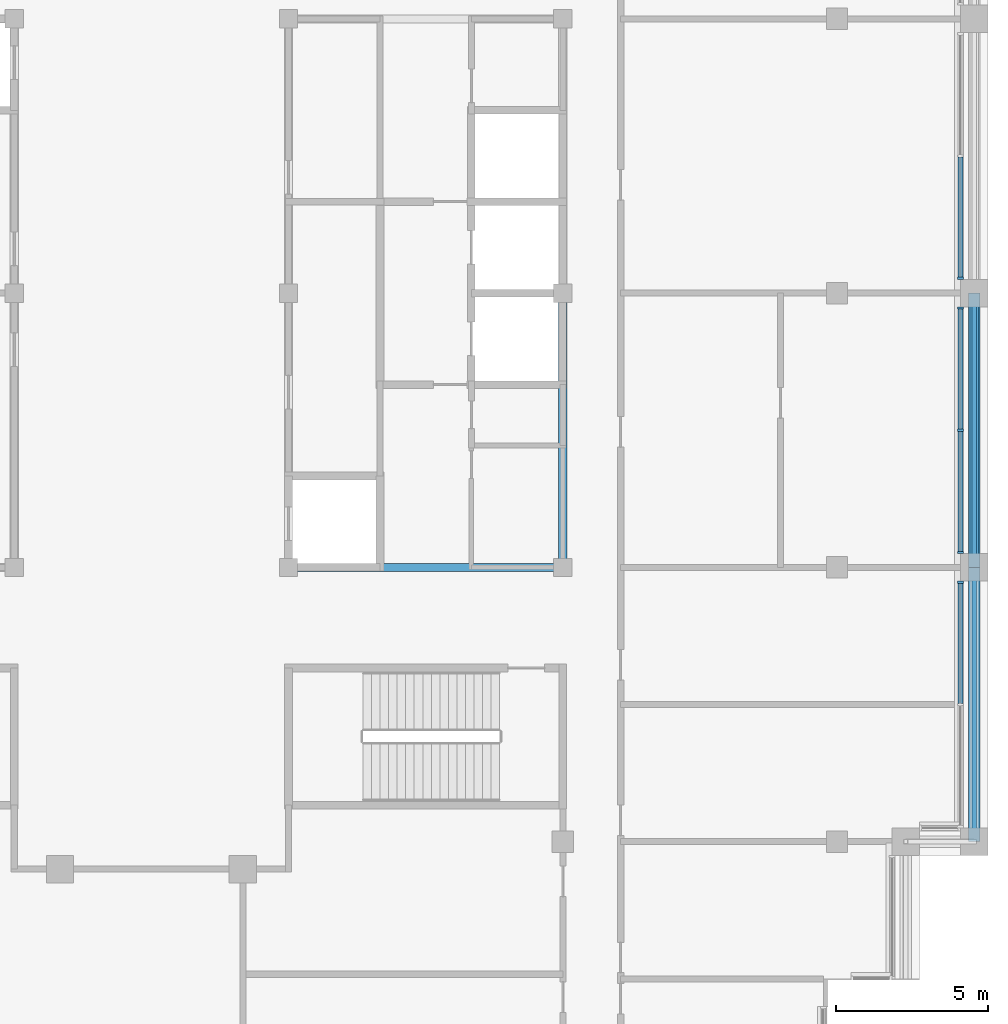
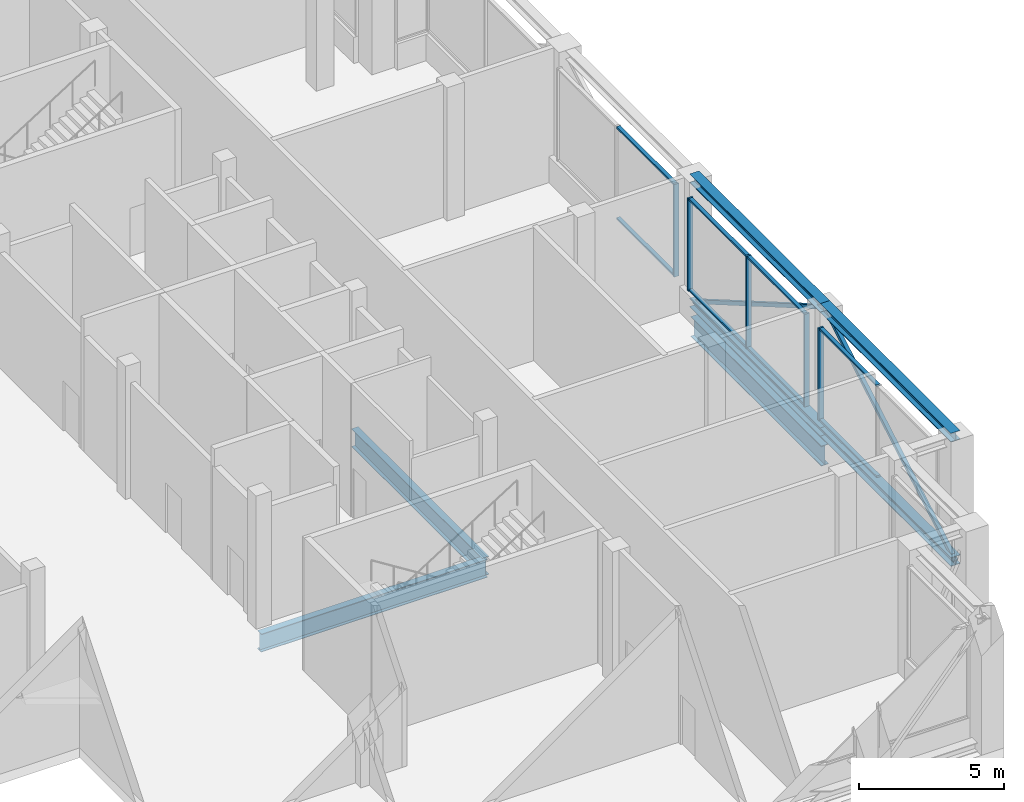
# One storey, part 5 of 17: 19 members, 3 beams, 3 elements without a shape of their own.
"""IFC4 building model written with IfcOpenShell, lengths in metres."""

from ifc_helpers import new_model, si_unit, direction, frame, origin, origin_2d, place, context, subcontext, project, spatial, rectangle, hollow_rectangle, i_section, extrude, material, layer, layer_set, material_profile, profile_set, type_object, element, aggregate, save


model = new_model("IFC4")

# Units and contexts
model_context = context("Model", 3, precision=1e-05, world=origin(), true_north=direction((0.0, 1.0)))
body_context = subcontext(model_context, "Body", "Model", "MODEL_VIEW")
ifc_project = project(units=[si_unit("LENGTHUNIT", "METRE"), si_unit("AREAUNIT", "SQUARE_METRE"), si_unit("VOLUMEUNIT", "CUBIC_METRE"), si_unit("PLANEANGLEUNIT", "RADIAN"), si_unit("MASSUNIT", "GRAM", prefix="KILO")], contexts=[model_context])

# Site, building, storey
site_placement = place(None, origin())
site = spatial("IfcSite", under=ifc_project, at=site_placement, CompositionType="ELEMENT")
building_placement = place(site_placement, origin())
building = spatial("IfcBuilding", under=site, at=building_placement, Name="Corbelhall Arena Tower", CompositionType="ELEMENT")
storey_placement = place(building_placement, frame((0.0, 0.0, 350.0)))
storey = spatial("IfcBuildingStorey", under=building, at=storey_placement, Name="L77", CompositionType="ELEMENT", Elevation=350.0)

# Curtain wall, member
ifc_material_1 = material(Name="Aluminium black anodised", Category="aluminium")
ifc_layer = layer(ifc_material_1, 0.199951171875)
ifc_layer_set = layer_set([ifc_layer], Name="EV-CW5 Sky band glazing")
curtain_wall_type = type_object("IfcCurtainWallType", Name="EV-CW5 Sky band glazing", PredefinedType="NOTDEFINED", material=ifc_layer_set)
curtain_wall_1_placement = place(storey_placement, origin())
curtain_wall_1 = element("IfcCurtainWall", 1, at=curtain_wall_1_placement, inside=storey, type_object=curtain_wall_type, Name="Curtain wall CW5", PredefinedType="NOTDEFINED")
ifc_material_profile_1 = material_profile(ifc_material_1, rectangle(XDim=0.199951171875, YDim=0.074951171875, at=origin_2d()))
ifc_profile_set_1 = profile_set([ifc_material_profile_1], Name="Aluminium black anodised")
member_type_1 = type_object("IfcMemberType", Name="EV-CW5-MULLION", PredefinedType="MULLION", material=ifc_profile_set_1)
member_1_placement = place(storey_placement, frame((26.550048828125, -9.487548828125, 1.10009765625), z_axis=(0.0, 0.0, 1.0), x_axis=(-1.0, 0.0, 0.0)))
member_1 = element("IfcMember", 2, at=member_1_placement, type_object=member_type_1, Name="CW5 mullion 3", PredefinedType="MULLION", context=body_context, shape_type="SweptSolid", body=[
    extrude(rectangle(XDim=0.199951171875, YDim=0.074951171875, at=origin_2d()), origin(), (0.0, 0.0, 1.0), 3.8994140625),
])

# Curtain wall, members
curtain_wall_2_placement = place(storey_placement, origin())
curtain_wall_2 = element("IfcCurtainWall", 3, at=curtain_wall_2_placement, inside=storey, type_object=curtain_wall_type, Name="Curtain wall CW5", PredefinedType="NOTDEFINED")
member_2_placement = place(storey_placement, frame((26.550048828125, -8.512451171875, 1.10009765625), z_axis=(0.0, 0.0, 1.0), x_axis=(-1.0, 0.0, 0.0)))
member_2 = element("IfcMember", 4, at=member_2_placement, type_object=member_type_1, Name="CW5 mullion 1", PredefinedType="MULLION", context=body_context, shape_type="SweptSolid", body=[
    extrude(rectangle(XDim=0.199951171875, YDim=0.074951171875, at=origin_2d()), origin(), (0.0, 0.0, 1.0), 3.8994140625),
])
member_3_placement = place(storey_placement, frame((26.550048828125, -4.5, 1.10009765625), z_axis=(0.0, 0.0, 1.0), x_axis=(-1.0, 0.0, 0.0)))
member_3 = element("IfcMember", 5, at=member_3_placement, type_object=member_type_1, Name="CW5 mullion 2", PredefinedType="MULLION", context=body_context, shape_type="SweptSolid", body=[
    extrude(rectangle(XDim=0.199951171875, YDim=0.074951171875, at=origin_2d()), origin(), (0.0, 0.0, 1.0), 3.8994140625),
])
member_4_placement = place(storey_placement, frame((26.550048828125, -0.487548828125, 1.10009765625), z_axis=(0.0, 0.0, 1.0), x_axis=(-1.0, 0.0, 0.0)))
member_4 = element("IfcMember", 6, at=member_4_placement, type_object=member_type_1, Name="CW5 mullion 3", PredefinedType="MULLION", context=body_context, shape_type="SweptSolid", body=[
    extrude(rectangle(XDim=0.199951171875, YDim=0.074951171875, at=origin_2d()), origin(), (0.0, 0.0, 1.0), 3.8994140625),
])

# Curtain wall, member
curtain_wall_3_placement = place(storey_placement, origin())
curtain_wall_3 = element("IfcCurtainWall", 7, at=curtain_wall_3_placement, inside=storey, type_object=curtain_wall_type, Name="Curtain wall CW5", PredefinedType="NOTDEFINED")
member_5_placement = place(storey_placement, frame((26.550048828125, 0.487548828125, 1.10009765625), z_axis=(0.0, 0.0, 1.0), x_axis=(-1.0, 0.0, 0.0)))
member_5 = element("IfcMember", 8, at=member_5_placement, type_object=member_type_1, Name="CW5 mullion 1", PredefinedType="MULLION", context=body_context, shape_type="SweptSolid", body=[
    extrude(rectangle(XDim=0.199951171875, YDim=0.074951171875, at=origin_2d()), origin(), (0.0, 0.0, 1.0), 3.8994140625),
])

# Member
ifc_material_profile_2 = material_profile(ifc_material_1, rectangle(XDim=0.14990234375, YDim=0.074951171875, at=origin_2d()))
ifc_profile_set_2 = profile_set([ifc_material_profile_2], Name="Aluminium black anodised")
member_type_2 = type_object("IfcMemberType", Name="EV-CW5-TRANSOM", PredefinedType="USERDEFINED", material=ifc_profile_set_2)
member_6_placement = place(storey_placement, frame((26.550048828125, -13.46240234375, 1.137451171875), z_axis=(0.0, 1.0, 0.0), x_axis=(-1.0, 0.0, 0.0)))
member_6 = element("IfcMember", 9, at=member_6_placement, type_object=member_type_2, Name="CW5 transom 2.1", ObjectType="transom", PredefinedType="USERDEFINED", context=body_context, shape_type="SweptSolid", body=[
    extrude(rectangle(XDim=0.14990234375, YDim=0.074951171875, at=origin_2d()), origin(), (0.0, 0.0, 1.0), 3.9375),
])

member_7_placement = place(storey_placement, frame((26.550048828125, -13.46240234375, 4.962158203125), z_axis=(0.0, 1.0, 0.0), x_axis=(-1.0, 0.0, 0.0)))
member_7 = element("IfcMember", 10, at=member_7_placement, type_object=member_type_2, Name="CW5 transom 2.2", ObjectType="transom", PredefinedType="USERDEFINED", context=body_context, shape_type="SweptSolid", body=[
    extrude(rectangle(XDim=0.14990234375, YDim=0.074951171875, at=origin_2d()), origin(), (0.0, 0.0, 1.0), 3.9375),
])

aggregate(curtain_wall_1, [member_1, member_6, member_7])

member_8_placement = place(storey_placement, frame((26.550048828125, -8.47509765625, 1.137451171875), z_axis=(0.0, 1.0, 0.0), x_axis=(-1.0, 0.0, 0.0)))
member_8 = element("IfcMember", 11, at=member_8_placement, type_object=member_type_2, Name="CW5 transom 1.1", ObjectType="transom", PredefinedType="USERDEFINED", context=body_context, shape_type="SweptSolid", body=[
    extrude(rectangle(XDim=0.14990234375, YDim=0.074951171875, at=origin_2d()), origin(), (0.0, 0.0, 1.0), 3.9375),
])

member_9_placement = place(storey_placement, frame((26.550048828125, -8.47509765625, 4.962158203125), z_axis=(0.0, 1.0, 0.0), x_axis=(-1.0, 0.0, 0.0)))
member_9 = element("IfcMember", 12, at=member_9_placement, type_object=member_type_2, Name="CW5 transom 1.2", ObjectType="transom", PredefinedType="USERDEFINED", context=body_context, shape_type="SweptSolid", body=[
    extrude(rectangle(XDim=0.14990234375, YDim=0.074951171875, at=origin_2d()), origin(), (0.0, 0.0, 1.0), 3.9375),
])

member_10_placement = place(storey_placement, frame((26.550048828125, -4.46240234375, 1.137451171875), z_axis=(0.0, 1.0, 0.0), x_axis=(-1.0, 0.0, 0.0)))
member_10 = element("IfcMember", 13, at=member_10_placement, type_object=member_type_2, Name="CW5 transom 2.1", ObjectType="transom", PredefinedType="USERDEFINED", context=body_context, shape_type="SweptSolid", body=[
    extrude(rectangle(XDim=0.14990234375, YDim=0.074951171875, at=origin_2d()), origin(), (0.0, 0.0, 1.0), 3.9375),
])

member_11_placement = place(storey_placement, frame((26.550048828125, -4.46240234375, 4.962158203125), z_axis=(0.0, 1.0, 0.0), x_axis=(-1.0, 0.0, 0.0)))
member_11 = element("IfcMember", 14, at=member_11_placement, type_object=member_type_2, Name="CW5 transom 2.2", ObjectType="transom", PredefinedType="USERDEFINED", context=body_context, shape_type="SweptSolid", body=[
    extrude(rectangle(XDim=0.14990234375, YDim=0.074951171875, at=origin_2d()), origin(), (0.0, 0.0, 1.0), 3.9375),
])

aggregate(curtain_wall_2, [member_2, member_3, member_4, member_8, member_9, member_10, member_11])

member_12_placement = place(storey_placement, frame((26.550048828125, 0.52490234375, 1.137451171875), z_axis=(0.0, 1.0, 0.0), x_axis=(-1.0, 0.0, 0.0)))
member_12 = element("IfcMember", 15, at=member_12_placement, type_object=member_type_2, Name="CW5 transom 1.1", ObjectType="transom", PredefinedType="USERDEFINED", context=body_context, shape_type="SweptSolid", body=[
    extrude(rectangle(XDim=0.14990234375, YDim=0.074951171875, at=origin_2d()), origin(), (0.0, 0.0, 1.0), 3.9375),
])

member_13_placement = place(storey_placement, frame((26.550048828125, 0.52490234375, 4.962158203125), z_axis=(0.0, 1.0, 0.0), x_axis=(-1.0, 0.0, 0.0)))
member_13 = element("IfcMember", 16, at=member_13_placement, type_object=member_type_2, Name="CW5 transom 1.2", ObjectType="transom", PredefinedType="USERDEFINED", context=body_context, shape_type="SweptSolid", body=[
    extrude(rectangle(XDim=0.14990234375, YDim=0.074951171875, at=origin_2d()), origin(), (0.0, 0.0, 1.0), 3.9375),
])

aggregate(curtain_wall_3, [member_5, member_12, member_13])

# Beams
ifc_material_2 = material(Name="Steel ASTM A992 Gr50", Category="steel")
ifc_material_profile_3 = material_profile(ifc_material_2, i_section(OverallWidth=0.2666015625, OverallDepth=0.761962890625, WebThickness=0.014404296875, FlangeThickness=0.021484375, at=origin_2d()))
ifc_profile_set_3 = profile_set([ifc_material_profile_3], Name="Steel ASTM A992 Gr50")
beam_type_1 = type_object("IfcBeamType", Name="ST-BEAM-W30x116", PredefinedType="BEAM", material=ifc_profile_set_3)
for number, where, z_axis, x_axis, name in (
    (17, (13.5, -9.0, -0.791015625), (0.0, 1.0, 0.0), (-1.0, 0.0, 0.0), "Beam CEE 9"),
    (18, (4.5, -9.0, -0.791015625), (1.0, 0.0, 0.0), (0.0, 1.0, 0.0), "Beam CEE 11"),
):
    element("IfcBeam", number, at=place(storey_placement, frame(where, z_axis=z_axis, x_axis=x_axis)), inside=storey, type_object=beam_type_1, Name=name, PredefinedType="BEAM", context=body_context, shape_type="SweptSolid", body=[
        extrude(i_section(OverallWidth=0.2666015625, OverallDepth=0.761962890625, WebThickness=0.014404296875, FlangeThickness=0.021484375, at=origin_2d()), origin(), (0.0, 0.0, 1.0), 9.0),
    ])

# Members
ifc_material_profile_4 = material_profile(ifc_material_2, i_section(OverallWidth=0.373291015625, OverallDepth=0.373291015625, WebThickness=0.016357421875, FlangeThickness=0.026123046875, at=origin_2d()))
ifc_profile_set_4 = profile_set([ifc_material_profile_4], Name="Steel ASTM A992 Gr50")
member_type_3 = type_object("IfcMemberType", Name="ST-CHORD-W14x132", PredefinedType="CHORD", material=ifc_profile_set_4)
for number, where, z_axis, x_axis, name in (
    (19, (27.0, 0.0, 0.186767578125), (0.0, -1.0, 0.0), (1.0, 0.0, 0.0), "Truss chord BC 1"),
    (20, (27.0, 0.0, 5.412841796875), (0.0, -1.0, 0.0), (1.0, 0.0, 0.0), "Truss chord TC 1"),
    (21, (27.0, -9.0, 0.186767578125), (0.0, -1.0, 0.0), (1.0, 0.0, 0.0), "Truss chord BC 4"),
    (22, (27.0, -9.0, 5.412841796875), (0.0, -1.0, 0.0), (1.0, 0.0, 0.0), "Truss chord TC 4"),
):
    element("IfcMember", number, at=place(storey_placement, frame(where, z_axis=z_axis, x_axis=x_axis)), inside=storey, type_object=member_type_3, Name=name, PredefinedType="CHORD", context=body_context, shape_type="SweptSolid", body=[
        extrude(i_section(OverallWidth=0.373291015625, OverallDepth=0.373291015625, WebThickness=0.016357421875, FlangeThickness=0.026123046875, at=origin_2d()), origin(), (0.0, 0.0, 1.0), 9.0),
    ])

# Beam
ifc_material_profile_5 = material_profile(ifc_material_2, i_section(OverallWidth=0.2919921875, OverallDepth=0.845703125, WebThickness=0.015380859375, FlangeThickness=0.0244140625, at=origin_2d()))
ifc_profile_set_5 = profile_set([ifc_material_profile_5], Name="Steel ASTM A992 Gr50")
beam_type_2 = type_object("IfcBeamType", Name="ST-SPANDREL-W33x141", PredefinedType="SPANDREL", material=ifc_profile_set_5)
beam_placement = place(storey_placement, frame((27.0, 0.0, -0.8330078125), z_axis=(0.0, -1.0, 0.0), x_axis=(1.0, 0.0, 0.0)))
element("IfcBeam", 23, at=beam_placement, inside=storey, type_object=beam_type_2, Name="Beam SP 1", PredefinedType="SPANDREL", context=body_context, shape_type="SweptSolid", body=[
    extrude(i_section(OverallWidth=0.2919921875, OverallDepth=0.845703125, WebThickness=0.015380859375, FlangeThickness=0.0244140625, at=origin_2d()), origin(), (0.0, 0.0, 1.0), 9.0),
])

# Members
ifc_material_3 = material(Name="Steel ASTM A500 Gr C", Category="steel")
ifc_material_profile_6 = material_profile(ifc_material_3, hollow_rectangle(XDim=0.15234375, YDim=0.15234375, WallThickness=0.0087890625, at=origin_2d()))
ifc_profile_set_6 = profile_set([ifc_material_profile_6], Name="Steel ASTM A500 Gr C")
member_type_4 = type_object("IfcMemberType", Name="ST-STRUT-HSS6x6x3/8", PredefinedType="STRUT", material=ifc_profile_set_6)
for number, where, z_axis, x_axis, name in (
    (24, (27.0, 0.0, 0.186767578125), (0.0, -0.864777773896, 0.50215475879), (1.0, 0.0, 0.0), "Truss diagonal 1"),
    (25, (27.0, -18.0, 0.186767578125), (0.0, 0.864777773896, 0.50215475879), (-1.0, 0.0, 0.0), "Truss diagonal 4"),
):
    element("IfcMember", number, at=place(storey_placement, frame(where, z_axis=z_axis, x_axis=x_axis)), inside=storey, type_object=member_type_4, Name=name, PredefinedType="STRUT", context=body_context, shape_type="SweptSolid", body=[
        extrude(hollow_rectangle(XDim=0.15234375, YDim=0.15234375, WallThickness=0.0087890625, at=origin_2d()), origin(), (0.0, 0.0, 1.0), 10.4072265625),
    ])

save(model, "model.ifc")
